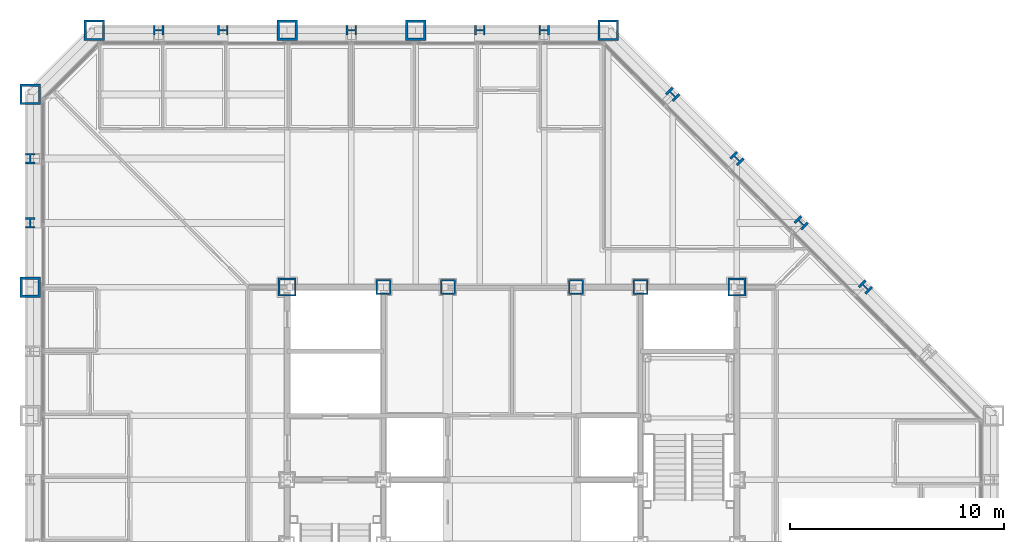
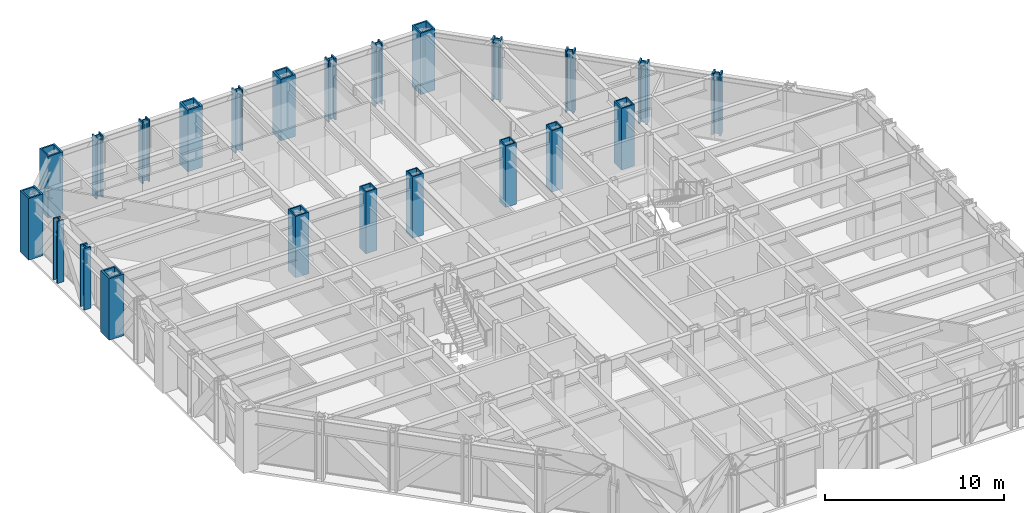
# One storey, part 3 of 17: 23 columns.
"""IFC4 building model written with IfcOpenShell, lengths in metres."""

from ifc_helpers import new_model, si_unit, direction, frame, origin, origin_2d, place, context, subcontext, project, spatial, hollow_rectangle, i_section, extrude, material, material_profile, profile_set, type_object, element, save


model = new_model("IFC4")

# Units and contexts
model_context = context("Model", 3, precision=1e-05, world=origin(), true_north=direction((0.0, 1.0)))
body_context = subcontext(model_context, "Body", "Model", "MODEL_VIEW")
ifc_project = project(units=[si_unit("LENGTHUNIT", "METRE"), si_unit("AREAUNIT", "SQUARE_METRE"), si_unit("VOLUMEUNIT", "CUBIC_METRE"), si_unit("PLANEANGLEUNIT", "RADIAN"), si_unit("MASSUNIT", "GRAM", prefix="KILO")], contexts=[model_context])

# Site, building, storey
site_placement = place(None, origin())
site = spatial("IfcSite", under=ifc_project, at=site_placement, CompositionType="ELEMENT")
building_placement = place(site_placement, origin())
building = spatial("IfcBuilding", under=site, at=building_placement, Name="Chuquiago Exchange Tower", CompositionType="ELEMENT")
storey_placement = place(building_placement, frame((0.0, 0.0, 132.0)))
storey = spatial("IfcBuildingStorey", under=building, at=storey_placement, Name="L28", CompositionType="ELEMENT", Elevation=132.0)

# Columns
ifc_material_1 = material(Name="Steel ASTM A992", Category="steel")
ifc_material_profile_1 = material_profile(ifc_material_1, i_section(OverallWidth=0.431884765625, OverallDepth=0.497802734375, WebThickness=0.0556640625, FlangeThickness=0.0888671875, at=origin_2d()), Name="W14X500")
ifc_profile_set_1 = profile_set([ifc_material_profile_1], Name="Steel ASTM A992")
column_type_1 = type_object("IfcColumnType", Name="C3 W14X500", PredefinedType="COLUMN", material=ifc_profile_set_1)
for number, where, z_axis, x_axis, name in (
    (1, (24.0, 45.0, 0.0), (0.0, 0.0, 1.0), (0.0, 1.0, 0.0), "COL-L28-24_45"),
    (2, (21.0, 45.0, 0.0), (0.0, 0.0, 1.0), (0.0, 1.0, 0.0), "COL-L28-21_45"),
    (3, (15.0, 45.0, 0.0), (0.0, 0.0, 1.0), (0.0, 1.0, 0.0), "COL-L28-15_45"),
    (4, (9.0, 45.0, 0.0), (0.0, 0.0, 1.0), (0.0, 1.0, 0.0), "COL-L28-9_45"),
    (5, (6.0, 45.0, 0.0), (0.0, 0.0, 1.0), (0.0, 1.0, 0.0), "COL-L28-6_45"),
    (6, (0.0, 39.0, 0.0), (0.0, 0.0, 1.0), (-1.0, 0.0, 0.0), "COL-L28-0_39"),
    (7, (0.0, 36.0, 0.0), (0.0, 0.0, 1.0), (-1.0, 0.0, 0.0), "COL-L28-0_36"),
):
    element("IfcColumn", number, at=place(storey_placement, frame(where, z_axis=z_axis, x_axis=x_axis)), inside=storey, type_object=column_type_1, Name=name, PredefinedType="COLUMN", context=body_context, shape_type="SweptSolid", body=[
        extrude(i_section(OverallWidth=0.431884765625, OverallDepth=0.497802734375, WebThickness=0.0556640625, FlangeThickness=0.0888671875, at=origin_2d()), origin(), (0.0, 0.0, 1.0), 4.199951171875),
    ])
ifc_material_2 = material(Name="Steel ASTM A572 Grade 50", Category="steel")
ifc_material_profile_2 = material_profile(ifc_material_2, hollow_rectangle(XDim=0.699951171875, YDim=0.699951171875, WallThickness=0.070068359375, at=origin_2d()), Name="BOX700X700X70")
ifc_profile_set_2 = profile_set([ifc_material_profile_2], Name="Steel ASTM A572 Grade 50")
column_type_2 = type_object("IfcColumnType", Name="CC3 BOX700X700X70", PredefinedType="COLUMN", material=ifc_profile_set_2)
for number, where, z_axis, x_axis, name in (
    (8, (16.5, 33.0, 0.0), (0.0, 0.0, 1.0), (1.0, 0.0, 0.0), "CCOL-L28-16.5_33"),
    (9, (19.5, 33.0, 0.0), (0.0, 0.0, 1.0), (1.0, 0.0, 0.0), "CCOL-L28-19.5_33"),
    (10, (25.5, 33.0, 0.0), (0.0, 0.0, 1.0), (1.0, 0.0, 0.0), "CCOL-L28-25.5_33"),
    (11, (28.5, 33.0, 0.0), (0.0, 0.0, 1.0), (1.0, 0.0, 0.0), "CCOL-L28-28.5_33"),
):
    element("IfcColumn", number, at=place(storey_placement, frame(where, z_axis=z_axis, x_axis=x_axis)), inside=storey, type_object=column_type_2, Name=name, PredefinedType="COLUMN", context=body_context, shape_type="SweptSolid", body=[
        extrude(hollow_rectangle(XDim=0.699951171875, YDim=0.699951171875, WallThickness=0.070068359375, at=origin_2d()), origin(), (0.0, 0.0, 1.0), 4.199951171875),
    ])
ifc_material_3 = material(Name="Steel ASTM A572 Grade 50", Category="steel")
ifc_material_profile_3 = material_profile(ifc_material_3, hollow_rectangle(XDim=0.85009765625, YDim=0.85009765625, WallThickness=0.0849609375, at=origin_2d()), Name="BOX850X850X85")
ifc_profile_set_3 = profile_set([ifc_material_profile_3], Name="Steel ASTM A572 Grade 50")
column_type_3 = type_object("IfcColumnType", Name="CC6 BOX850X850X85", PredefinedType="COLUMN", material=ifc_profile_set_3)
for number, where, z_axis, x_axis, name in (
    (12, (12.0, 33.0, 0.0), (0.0, 0.0, 1.0), (1.0, 0.0, 0.0), "CCOL-L28-12_33"),
    (13, (33.0, 33.0, 0.0), (0.0, 0.0, 1.0), (1.0, 0.0, 0.0), "CCOL-L28-33_33"),
):
    element("IfcColumn", number, at=place(storey_placement, frame(where, z_axis=z_axis, x_axis=x_axis)), inside=storey, type_object=column_type_3, Name=name, PredefinedType="COLUMN", context=body_context, shape_type="SweptSolid", body=[
        extrude(hollow_rectangle(XDim=0.85009765625, YDim=0.85009765625, WallThickness=0.0849609375, at=origin_2d()), origin(), (0.0, 0.0, 1.0), 4.199951171875),
    ])
ifc_material_4 = material(Name="Steel ASTM A992", Category="steel")
ifc_material_profile_4 = material_profile(ifc_material_4, i_section(OverallWidth=0.44189453125, OverallDepth=0.53076171875, WebThickness=0.06591796875, FlangeThickness=0.105712890625, at=origin_2d()), Name="W14X605")
ifc_profile_set_4 = profile_set([ifc_material_profile_4], Name="Steel ASTM A992")
column_type_4 = type_object("IfcColumnType", Name="CK3 W14X605", PredefinedType="COLUMN", material=ifc_profile_set_4)
for number, where, z_axis, x_axis, name in (
    (14, (39.0, 33.0, 0.0), (0.0, 0.0, 1.0), (0.707106781187, 0.707106781187, 0.0), "COL-L28-39_33"),
    (15, (36.0, 36.0, 0.0), (0.0, 0.0, 1.0), (0.707106781187, 0.707106781187, 0.0), "COL-L28-36_36"),
    (16, (33.0, 39.0, 0.0), (0.0, 0.0, 1.0), (0.707106781187, 0.707106781187, 0.0), "COL-L28-33_39"),
    (17, (30.0, 42.0, 0.0), (0.0, 0.0, 1.0), (0.707106781187, 0.707106781187, 0.0), "COL-L28-30_42"),
):
    element("IfcColumn", number, at=place(storey_placement, frame(where, z_axis=z_axis, x_axis=x_axis)), inside=storey, type_object=column_type_4, Name=name, PredefinedType="COLUMN", context=body_context, shape_type="SweptSolid", body=[
        extrude(i_section(OverallWidth=0.44189453125, OverallDepth=0.53076171875, WebThickness=0.06591796875, FlangeThickness=0.105712890625, at=origin_2d()), origin(), (0.0, 0.0, 1.0), 4.199951171875),
    ])
ifc_material_5 = material(Name="Steel ASTM A572 Grade 50", Category="steel")
ifc_material_profile_5 = material_profile(ifc_material_5, hollow_rectangle(XDim=0.949951171875, YDim=0.949951171875, WallThickness=0.094970703125, at=origin_2d()), Name="BOX950X950X95")
ifc_profile_set_5 = profile_set([ifc_material_profile_5], Name="Steel ASTM A572 Grade 50")
column_type_5 = type_object("IfcColumnType", Name="CN1 BOX950X950X95", PredefinedType="COLUMN", material=ifc_profile_set_5)
for number, where, z_axis, x_axis, name in (
    (18, (27.0, 45.0, 0.0), (0.0, 0.0, 1.0), (0.0, 1.0, 0.0), "COL-L28-27_45"),
    (19, (3.0, 45.0, 0.0), (0.0, 0.0, 1.0), (0.0, 1.0, 0.0), "COL-L28-3_45"),
    (20, (0.0, 42.0, 0.0), (0.0, 0.0, 1.0), (-1.0, 0.0, 0.0), "COL-L28-0_42"),
):
    element("IfcColumn", number, at=place(storey_placement, frame(where, z_axis=z_axis, x_axis=x_axis)), inside=storey, type_object=column_type_5, Name=name, PredefinedType="COLUMN", context=body_context, shape_type="SweptSolid", body=[
        extrude(hollow_rectangle(XDim=0.949951171875, YDim=0.949951171875, WallThickness=0.094970703125, at=origin_2d()), origin(), (0.0, 0.0, 1.0), 4.199951171875),
    ])
ifc_material_6 = material(Name="Steel ASTM A572 Grade 42", Category="steel")
ifc_material_profile_6 = material_profile(ifc_material_6, hollow_rectangle(XDim=0.949951171875, YDim=0.949951171875, WallThickness=0.110107421875, at=origin_2d()), Name="BOX950X950X110")
ifc_profile_set_6 = profile_set([ifc_material_profile_6], Name="Steel ASTM A572 Grade 42")
column_type_6 = type_object("IfcColumnType", Name="CT1 BOX950X950X110", PredefinedType="COLUMN", material=ifc_profile_set_6)
for number, where, z_axis, x_axis, name in (
    (21, (18.0, 45.0, 0.0), (0.0, 0.0, 1.0), (0.0, 1.0, 0.0), "COL-L28-18_45"),
    (22, (12.0, 45.0, 0.0), (0.0, 0.0, 1.0), (0.0, 1.0, 0.0), "COL-L28-12_45"),
    (23, (0.0, 33.0, 0.0), (0.0, 0.0, 1.0), (-1.0, 0.0, 0.0), "COL-L28-0_33"),
):
    element("IfcColumn", number, at=place(storey_placement, frame(where, z_axis=z_axis, x_axis=x_axis)), inside=storey, type_object=column_type_6, Name=name, PredefinedType="COLUMN", context=body_context, shape_type="SweptSolid", body=[
        extrude(hollow_rectangle(XDim=0.949951171875, YDim=0.949951171875, WallThickness=0.110107421875, at=origin_2d()), origin(), (0.0, 0.0, 1.0), 4.199951171875),
    ])

save(model, "model.ifc")
